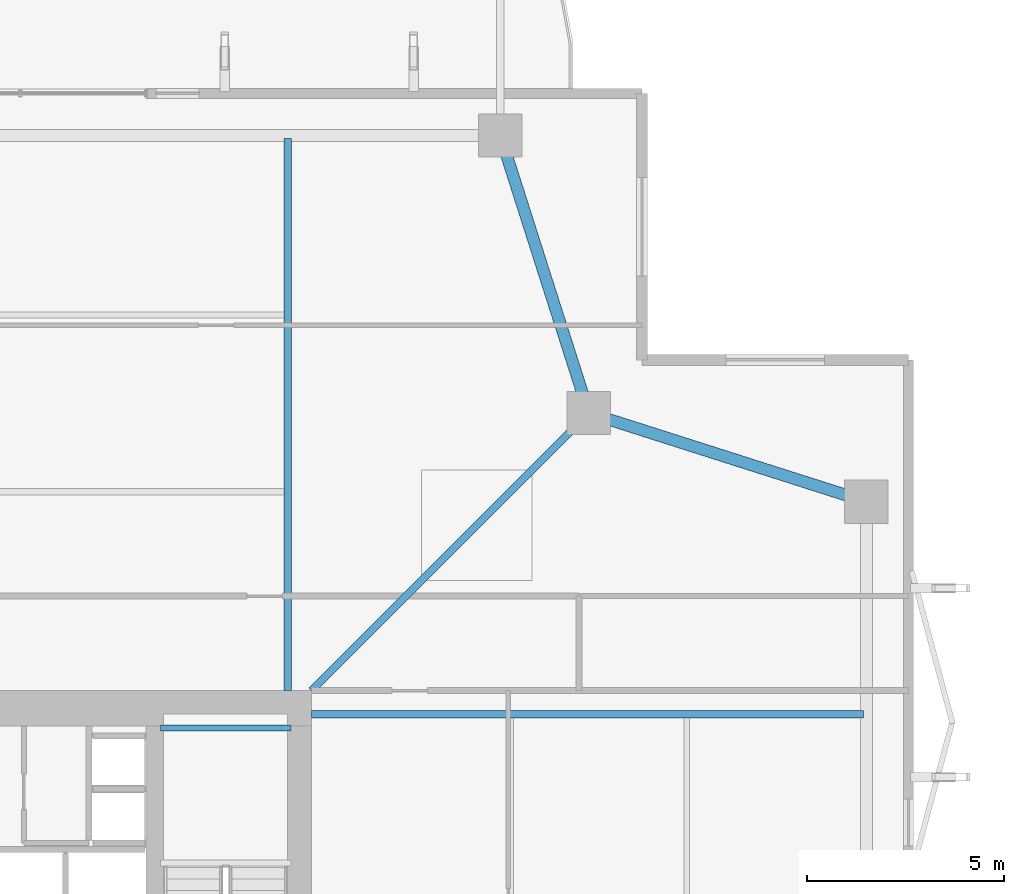
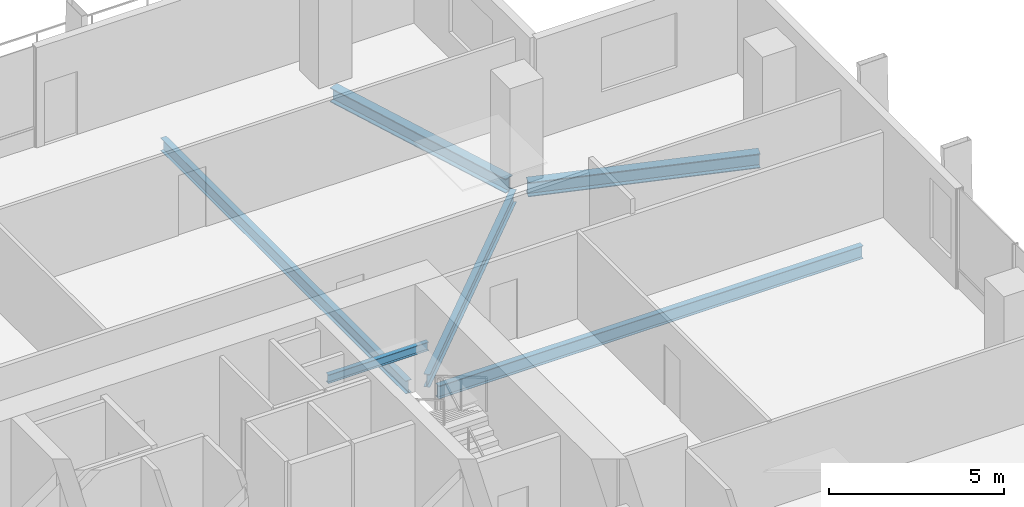
# One storey, part 15 of 25: 6 beams.
"""IFC4 building model written with IfcOpenShell, lengths in metres."""

from ifc_helpers import new_model, si_unit, direction, frame, origin, origin_2d, place, context, subcontext, project, spatial, i_section, extrude, material, material_profile, profile_set, type_object, element, save


model = new_model("IFC4")

# Units and contexts
model_context = context("Model", 3, precision=1e-05, world=origin(), true_north=direction((0.0, 1.0)))
body_context = subcontext(model_context, "Body", "Model", "MODEL_VIEW")
ifc_project = project(units=[si_unit("LENGTHUNIT", "METRE"), si_unit("AREAUNIT", "SQUARE_METRE"), si_unit("VOLUMEUNIT", "CUBIC_METRE"), si_unit("PLANEANGLEUNIT", "RADIAN"), si_unit("MASSUNIT", "GRAM", prefix="KILO")], contexts=[model_context])

# Site, building, storey
site_placement = place(None, origin())
site = spatial("IfcSite", under=ifc_project, at=site_placement, CompositionType="ELEMENT")
building_placement = place(site_placement, origin())
building = spatial("IfcBuilding", under=site, at=building_placement, Name="Belovzor Exchange Tower", CompositionType="ELEMENT")
storey_placement = place(building_placement, frame((0.0, 0.0, 172.050048828125)))
storey = spatial("IfcBuildingStorey", under=building, at=storey_placement, Name="L42", CompositionType="ELEMENT", Elevation=172.050048828125)

# Beams
ifc_material_1 = material(Name="Steel S355", Category="steel")
ifc_material_profile_1 = material_profile(ifc_material_1, i_section(OverallWidth=0.14990234375, OverallDepth=0.300048828125, WebThickness=0.007080078125, FlangeThickness=0.0107421875, at=origin_2d()))
ifc_profile_set_1 = profile_set([ifc_material_profile_1], Name="Steel S355")
beam_type_1 = type_object("IfcBeamType", Name="Secondary Trim Floor Joist IPE 300", PredefinedType="BEAM", material=ifc_profile_set_1)
beam_1_placement = place(storey_placement, frame((37.280029296875, 36.85009765625, 1.52490234375), z_axis=(-1.0, 0.0, 0.0), x_axis=(0.0, -1.0, 0.0)))
element("IfcBeam", 1, at=beam_1_placement, inside=storey, type_object=beam_type_1, Name="FJ-300 Secondary Trim Floor Joist IPE 300", PredefinedType="BEAM", context=body_context, shape_type="SweptSolid", body=[
    extrude(i_section(OverallWidth=0.14990234375, OverallDepth=0.300048828125, WebThickness=0.007080078125, FlangeThickness=0.0107421875, at=origin_2d()), origin(), (0.0, 0.0, 1.0), 3.31005859375),
])
ifc_material_2 = material(Name="Steel S355", Category="steel")
ifc_material_profile_2 = material_profile(ifc_material_2, i_section(OverallWidth=0.18994140625, OverallDepth=0.449951171875, WebThickness=0.009521484375, FlangeThickness=0.0146484375, at=origin_2d()))
ifc_profile_set_2 = profile_set([ifc_material_profile_2], Name="Steel S355")
beam_type_2 = type_object("IfcBeamType", Name="Zone 2-4 Radial Composite Floor Beam IPE 450", PredefinedType="BEAM", material=ifc_profile_set_2)
for number, where, z_axis, x_axis, name in (
    (2, (37.199951171875, 37.800048828125, -0.47998046875), (0.0, 1.0, 0.0), (-1.0, 0.0, 0.0), "FB-450 Zone 2-4 Radial Composite Floor Beam IPE 450"),
    (3, (37.800048828125, 37.199951171875, -0.47998046875), (1.0, 0.0, 0.0), (0.0, 1.0, 0.0), "FB-450 Zone 2-4 Radial Composite Floor Beam IPE 450"),
):
    element("IfcBeam", number, at=place(storey_placement, frame(where, z_axis=z_axis, x_axis=x_axis)), inside=storey, type_object=beam_type_2, Name=name, PredefinedType="BEAM", context=body_context, shape_type="SweptSolid", body=[
        extrude(i_section(OverallWidth=0.18994140625, OverallDepth=0.449951171875, WebThickness=0.009521484375, FlangeThickness=0.0146484375, at=origin_2d()), origin(), (0.0, 0.0, 1.0), 14.02490234375),
    ])
beam_2_placement = place(storey_placement, frame((37.800048828125, 37.800048828125, -0.47998046875), z_axis=(0.707106781187, 0.707106781187, 0.0), x_axis=(-0.707106781187, 0.707106781187, 0.0)))
element("IfcBeam", 4, at=beam_2_placement, inside=storey, type_object=beam_type_2, Name="FB-450 Zone 2-4 Radial Composite Floor Beam IPE 450", PredefinedType="BEAM", context=body_context, shape_type="SweptSolid", body=[
    extrude(i_section(OverallWidth=0.18994140625, OverallDepth=0.449951171875, WebThickness=0.009521484375, FlangeThickness=0.0146484375, at=origin_2d()), origin(), (0.0, 0.0, 1.0), 9.5810546875),
])
ifc_material_3 = material(Name="Steel S355", Category="steel")
ifc_material_profile_3 = material_profile(ifc_material_3, i_section(OverallWidth=0.300048828125, OverallDepth=0.5, WebThickness=0.014404296875, FlangeThickness=0.028076171875, at=origin_2d()))
ifc_profile_set_3 = profile_set([ifc_material_profile_3], Name="Steel S355")
beam_type_3 = type_object("IfcBeamType", Name="Zone 3 Waist Primary Girder HEB 500", PredefinedType="BEAM", material=ifc_profile_set_3)
for number, where, z_axis, x_axis, name in (
    (5, (51.612060546875, 42.69189453125, -0.505126953125), (-0.952661203756, 0.304033930439, 0.0), (-0.304033930439, -0.952661203756, 0.0), "FG-Z3 Zone 3 Waist Primary Girder HEB 500"),
    (6, (44.758056640625, 45.137939453125, -0.505126953125), (-0.304033930439, 0.952661203756, 0.0), (-0.952661203756, -0.304033930439, 0.0), "FG-Z3 Zone 3 Waist Primary Girder HEB 500"),
):
    element("IfcBeam", number, at=place(storey_placement, frame(where, z_axis=z_axis, x_axis=x_axis)), inside=storey, type_object=beam_type_3, Name=name, PredefinedType="BEAM", context=body_context, shape_type="SweptSolid", body=[
        extrude(i_section(OverallWidth=0.300048828125, OverallDepth=0.5, WebThickness=0.014404296875, FlangeThickness=0.028076171875, at=origin_2d()), origin(), (0.0, 0.0, 1.0), 6.7958984375),
    ])

save(model, "model.ifc")
